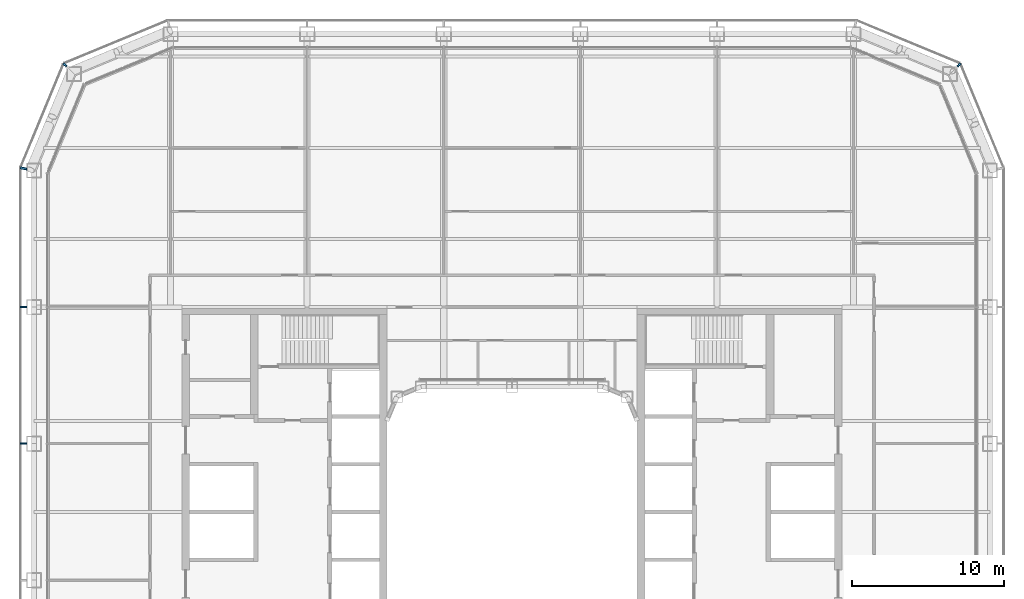
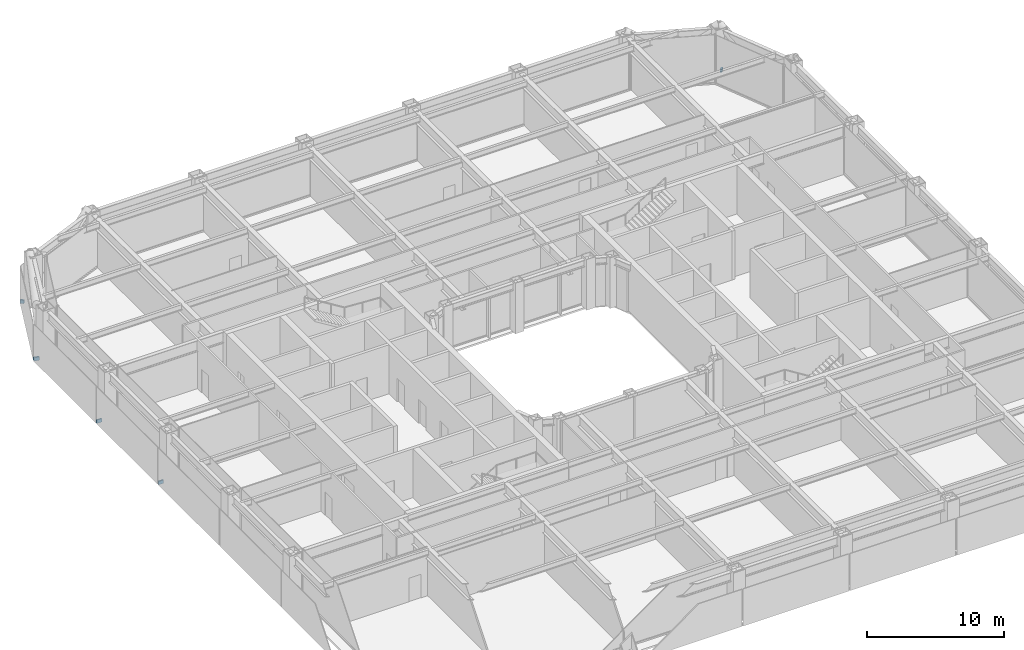
# One storey, part 18 of 25: 5 discrete accessories.
"""IFC4 building model written with IfcOpenShell, lengths in metres."""

from ifc_helpers import new_model, si_unit, direction, frame, origin, origin_2d, place, context, subcontext, project, spatial, rectangle, extrude, material, type_object, element, save


model = new_model("IFC4")

# Units and contexts
model_context = context("Model", 3, precision=1e-05, world=origin(), true_north=direction((0.0, 1.0)))
body_context = subcontext(model_context, "Body", "Model", "MODEL_VIEW")
ifc_project = project(units=[si_unit("LENGTHUNIT", "METRE"), si_unit("AREAUNIT", "SQUARE_METRE"), si_unit("VOLUMEUNIT", "CUBIC_METRE"), si_unit("PLANEANGLEUNIT", "RADIAN"), si_unit("MASSUNIT", "GRAM", prefix="KILO")], contexts=[model_context])

# Site, building, storey
site_placement = place(None, origin())
site = spatial("IfcSite", under=ifc_project, at=site_placement, CompositionType="ELEMENT")
building_placement = place(site_placement, origin())
building = spatial("IfcBuilding", under=site, at=building_placement, Name="Siwar Civic Tower", CompositionType="ELEMENT")
storey_placement = place(building_placement, frame((0.0, 0.0, 58.199951171875)))
storey = spatial("IfcBuildingStorey", under=building, at=storey_placement, Name="L12", CompositionType="ELEMENT", Elevation=58.199951171875)

# Discrete accessories
ifc_material = material(Name="Stainless steel 316", Category="steel")
discrete_accessory_type = type_object("IfcDiscreteAccessoryType", Name="ENV-BRACKET", PredefinedType="BRACKET", material=ifc_material)
for number, where, z_axis, x_axis, name in (
    (1, (29.451416015625, 29.451416015625, -0.14990234375), (0.0, 0.0, 1.0), (0.707106781187, 0.707106781187, 0.0), "Bracket outer skin joint V05"),
    (2, (-29.451416015625, 29.451416015625, -0.14990234375), (0.0, 0.0, 1.0), (-0.707106781187, 0.707106781187, 0.0), "Bracket outer skin joint V08"),
):
    element("IfcDiscreteAccessory", number, at=place(storey_placement, frame(where, z_axis=z_axis, x_axis=x_axis)), inside=storey, type_object=discrete_accessory_type, Name=name, PredefinedType="BRACKET", context=body_context, shape_type="SweptSolid", body=[
        extrude(rectangle(XDim=0.287109375, YDim=0.12939453125, at=origin_2d()), origin(), (0.0, 0.0, 1.0), 0.300048828125),
    ])
discrete_accessory_placement = place(storey_placement, frame((-32.190185546875, 22.63720703125, -0.14990234375), z_axis=(0.0, 0.0, 1.0), x_axis=(-0.980785280403, 0.195090322016, 0.0)))
element("IfcDiscreteAccessory", 3, at=discrete_accessory_placement, inside=storey, type_object=discrete_accessory_type, Name="Bracket outer skin joint V09", PredefinedType="BRACKET", context=body_context, shape_type="SweptSolid", body=[
    extrude(rectangle(XDim=0.427734375, YDim=0.13720703125, at=origin_2d()), origin(), (0.0, 0.0, 1.0), 0.300048828125),
])
for number, where, z_axis, x_axis, name in (
    (4, (-32.18994140625, 13.5, -0.14990234375), (0.0, 0.0, 1.0), (-1.0, 0.0, 0.0), "Bracket outer skin joint W-01"),
    (5, (-32.18994140625, 4.5, -0.14990234375), (0.0, 0.0, 1.0), (-1.0, 0.0, 0.0), "Bracket outer skin joint W-02"),
):
    element("IfcDiscreteAccessory", number, at=place(storey_placement, frame(where, z_axis=z_axis, x_axis=x_axis)), inside=storey, type_object=discrete_accessory_type, Name=name, PredefinedType="BRACKET", context=body_context, shape_type="SweptSolid", body=[
        extrude(rectangle(XDim=0.419921875, YDim=0.10009765625, at=origin_2d()), origin(), (0.0, 0.0, 1.0), 0.300048828125),
    ])

save(model, "model.ifc")
